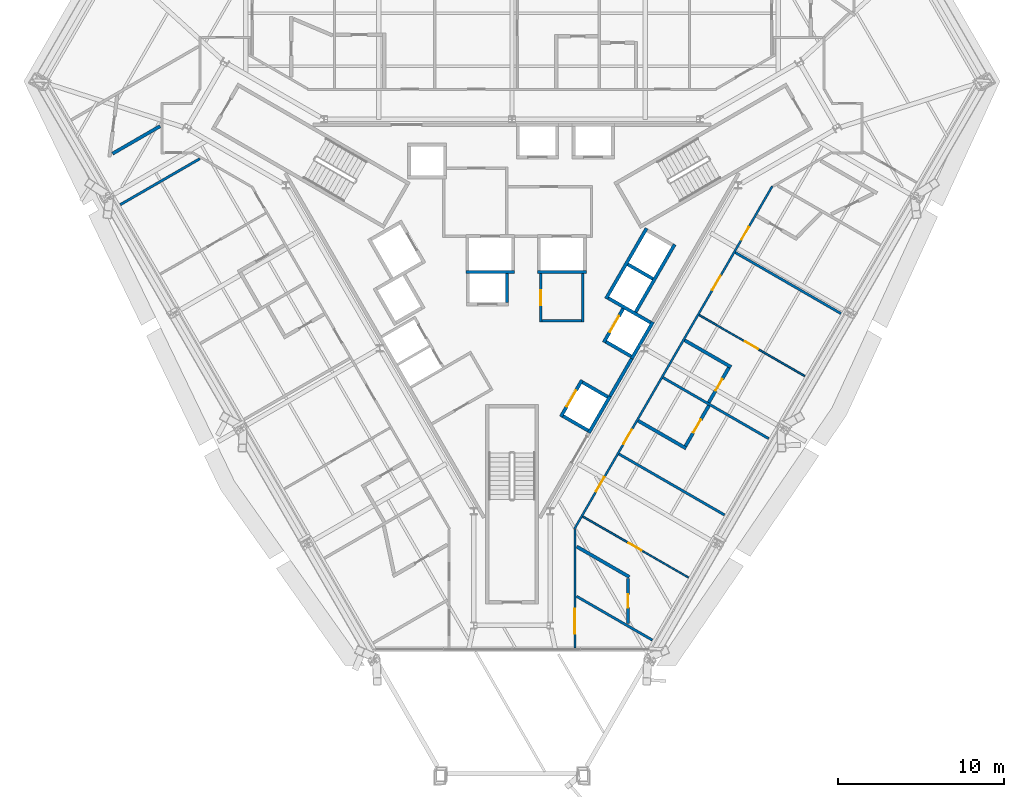
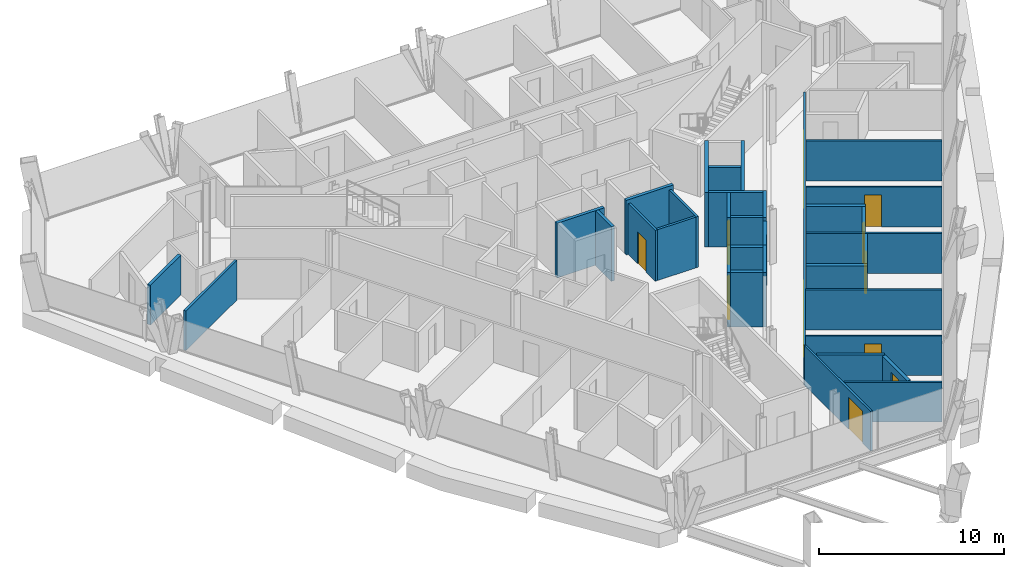
# One storey, part 10 of 15: 34 walls, 13 doors, 13 openings.
"""IFC4 building model written with IfcOpenShell, lengths in metres."""

from ifc_helpers import new_model, si_unit, direction, frame, frame_2d, origin, place, context, subcontext, project, spatial, rectangle, extrude, material, layer, layer_set, type_object, element, fill, save


model = new_model("IFC4")

# Units and contexts
model_context = context("Model", 3, precision=1e-05, world=origin(), true_north=direction((0.0, 1.0)))
body_context = subcontext(model_context, "Body", "Model", "MODEL_VIEW")
ifc_project = project(units=[si_unit("LENGTHUNIT", "METRE"), si_unit("AREAUNIT", "SQUARE_METRE"), si_unit("VOLUMEUNIT", "CUBIC_METRE"), si_unit("PLANEANGLEUNIT", "RADIAN"), si_unit("MASSUNIT", "GRAM", prefix="KILO")], contexts=[model_context])

# Site, building, storey
site_placement = place(None, origin())
site = spatial("IfcSite", under=ifc_project, at=site_placement, CompositionType="ELEMENT")
building_placement = place(site_placement, origin())
building = spatial("IfcBuilding", under=site, at=building_placement, Name="Verrane Prism Tower", CompositionType="ELEMENT")
storey_placement = place(building_placement, frame((0.0, 0.0, 118.0)))
storey = spatial("IfcBuildingStorey", under=building, at=storey_placement, Name="L28", CompositionType="ELEMENT", Elevation=118.0)

# Walls
ifc_material_1 = material(Name="Gypsum board partition", Category="other")
ifc_layer_1 = layer(ifc_material_1, 0.199951171875)
ifc_layer_set_1 = layer_set([ifc_layer_1], Name="CW-200 core boundary wall 2 h")
wall_type_1 = type_object("IfcWallType", Name="CW-200 core boundary wall 2 h", PredefinedType="PARTITIONING", material=ifc_layer_set_1)
wall_1_placement = place(storey_placement, frame((5.906005859375, -7.489990234375, 0.0), z_axis=(0.0, 0.0, 1.0), x_axis=(0.500252727967, 0.865879442048, 0.0)))
element("IfcWall", 1, at=wall_1_placement, inside=storey, type_object=wall_type_1, Name="Core boundary wall CW3-005", PredefinedType="PARTITIONING", context=body_context, shape_type="SweptSolid", body=[
    extrude(rectangle(XDim=2.616943359375, YDim=0.199951171875, at=frame_2d((1.30859375, 0.0))), origin(), (0.0, 0.0, 1.0), 3.35009765625),
])
ifc_material_2 = material(Name="Gypsum board shaft wall assembly", Category="other")
ifc_layer_2 = layer(ifc_material_2, 0.199951171875)
ifc_layer_set_2 = layer_set([ifc_layer_2], Name="HW-200 lift shaft wall 2 h")
wall_type_2 = type_object("IfcWallType", Name="HW-200 lift shaft wall 2 h", PredefinedType="PARTITIONING", material=ifc_layer_set_2)
wall_2_placement = place(storey_placement, frame((-2.784912109375, 0.0, 0.0), z_axis=(0.0, 0.0, 1.0), x_axis=(1.0, 0.0, 0.0)))
element("IfcWall", 2, at=wall_2_placement, inside=storey, type_object=wall_type_2, Name="Lift shaft wall", PredefinedType="PARTITIONING", context=body_context, shape_type="SweptSolid", body=[
    extrude(rectangle(XDim=2.949951171875, YDim=0.199951171875, at=frame_2d((1.47509765625, 0.0))), origin(), (0.0, 0.0, 1.0), 3.60009765625),
])
wall_3_placement = place(storey_placement, frame((1.52490234375, 0.0, 0.0), z_axis=(0.0, 0.0, 1.0), x_axis=(1.0, 0.0, 0.0)))
element("IfcWall", 3, at=wall_3_placement, inside=storey, type_object=wall_type_2, Name="Lift shaft wall", PredefinedType="PARTITIONING", context=body_context, shape_type="SweptSolid", body=[
    extrude(rectangle(XDim=2.9501953125, YDim=0.199951171875, at=frame_2d((1.47509765625, 0.0))), origin(), (0.0, 0.0, 1.0), 3.60009765625),
])
wall_4_placement = place(storey_placement, frame((4.63037109375, -9.69970703125, 0.0), z_axis=(0.0, 0.0, 1.0), x_axis=(0.500062241894, 0.865989465428, 0.0)))
element("IfcWall", 4, at=wall_4_placement, inside=storey, type_object=wall_type_2, Name="Lift shaft wall", PredefinedType="PARTITIONING", context=body_context, shape_type="SweptSolid", body=[
    extrude(rectangle(XDim=2.550048828125, YDim=0.199951171875, at=frame_2d((1.27490234375, 0.0))), origin(), (0.0, 0.0, 1.0), 3.60009765625),
])
wall_5_placement = place(storey_placement, frame((7.215576171875, -5.222412109375, 0.0), z_axis=(0.0, 0.0, 1.0), x_axis=(0.499990435942, 0.866030925526, 0.0)))
element("IfcWall", 5, at=wall_5_placement, inside=storey, type_object=wall_type_2, Name="Lift shaft wall", PredefinedType="PARTITIONING", context=body_context, shape_type="SweptSolid", body=[
    extrude(rectangle(XDim=2.5498046875, YDim=0.199951171875, at=frame_2d((1.27490234375, 0.0))), origin(), (0.0, 0.0, 1.0), 3.60009765625),
])
wall_6_placement = place(storey_placement, frame((7.451171875, -2.4140625, 0.0), z_axis=(0.0, 0.0, 1.0), x_axis=(0.500016218704, 0.866016039709, 0.0)))
element("IfcWall", 6, at=wall_6_placement, inside=storey, type_object=wall_type_2, Name="Lift shaft wall", PredefinedType="PARTITIONING", context=body_context, shape_type="SweptSolid", body=[
    extrude(rectangle(XDim=4.699951171875, YDim=0.199951171875, at=frame_2d((2.35009765625, 0.0))), origin(), (0.0, 0.0, 1.0), 3.60009765625),
])

# Wall, opening, door
wall_7_placement = place(storey_placement, frame((2.941650390625, -8.724853515625, 0.0), z_axis=(0.0, 0.0, 1.0), x_axis=(0.500020783669, 0.866013403995, 0.0)))
wall_7 = element("IfcWall", 7, at=wall_7_placement, inside=storey, type_object=wall_type_2, Name="Lift shaft wall", PredefinedType="PARTITIONING", context=body_context, shape_type="SweptSolid", body=[
    extrude(rectangle(XDim=2.55029296875, YDim=0.199951171875, at=frame_2d((1.275146484375, 0.0))), origin(), (0.0, 0.0, 1.0), 3.60009765625),
])
opening_1_placement = place(wall_7_placement, frame((0.72509765625, 0.0, 0.0)))
opening_1 = element("IfcOpeningElement", 8, at=opening_1_placement, cuts=wall_7, Name="Opening D27506", PredefinedType="OPENING", context=body_context, shape_type="SweptSolid", body=[
    extrude(rectangle(XDim=1.10009765625, YDim=2.10009765625, at=frame_2d((0.550048828125, 1.050048828125))), frame((0.0, 0.10986328125, 0.0), z_axis=(0.0, -1.0, 0.0), x_axis=(1.0, 0.0, 0.0)), (0.0, 0.0, 1.0), 0.219970703125),
])
ifc_material_3 = material(Name="Stainless steel sliding landing door", Category="steel")
door_type_1 = type_object("IfcDoorType", Name="LD-1100x2100 lift landing door FD90 sliding", OperationType="NOTDEFINED", PredefinedType="DOOR", material=ifc_material_3)
door_1_placement = place(opening_1_placement, origin())
door_1 = element("IfcDoor", 9, at=door_1_placement, inside=storey, type_object=door_type_1, Name="Bank A lift 4 landing door", OperationType="SLIDING_TO_RIGHT", OverallHeight=2.10009765625, OverallWidth=1.10009765625, PredefinedType="DOOR", context=body_context, shape_type="SweptSolid", body=[
    extrude(rectangle(XDim=1.10009765625, YDim=2.10009765625, at=frame_2d((0.550048828125, 1.050048828125))), frame((0.0, 0.02490234375, 0.0), z_axis=(0.0, -1.0, 0.0), x_axis=(1.0, 0.0, 0.0)), (0.0, 0.0, 1.0), 0.050048828125),
])
fill(opening_1, door_1)

wall_8_placement = place(storey_placement, frame((5.52685546875, -4.247314453125, 0.0), z_axis=(0.0, 0.0, 1.0), x_axis=(0.499938297808, 0.866061024631, 0.0)))
wall_8 = element("IfcWall", 10, at=wall_8_placement, inside=storey, type_object=wall_type_2, Name="Lift shaft wall", PredefinedType="PARTITIONING", context=body_context, shape_type="SweptSolid", body=[
    extrude(rectangle(XDim=2.349853515625, YDim=0.199951171875, at=frame_2d((1.1748046875, 0.0))), origin(), (0.0, 0.0, 1.0), 3.60009765625),
])
opening_2_placement = place(wall_8_placement, frame((0.72509765625, 0.0, 0.0)))
opening_2 = element("IfcOpeningElement", 11, at=opening_2_placement, cuts=wall_8, Name="Opening D27507", PredefinedType="OPENING", context=body_context, shape_type="SweptSolid", body=[
    extrude(rectangle(XDim=1.10009765625, YDim=2.10009765625, at=frame_2d((0.550048828125, 1.050048828125))), frame((0.0, 0.10986328125, 0.0), z_axis=(0.0, -1.0, 0.0), x_axis=(1.0, 0.0, 0.0)), (0.0, 0.0, 1.0), 0.219970703125),
])
door_2_placement = place(opening_2_placement, origin())
door_2 = element("IfcDoor", 12, at=door_2_placement, inside=storey, type_object=door_type_1, Name="Bank A lift 5 landing door", OperationType="SLIDING_TO_LEFT", OverallHeight=2.10009765625, OverallWidth=1.10009765625, PredefinedType="DOOR", context=body_context, shape_type="SweptSolid", body=[
    extrude(rectangle(XDim=1.10009765625, YDim=2.10009765625, at=frame_2d((0.550048828125, 1.050048828125))), frame((0.0, 0.02490234375, 0.0), z_axis=(0.0, -1.0, 0.0), x_axis=(1.0, 0.0, 0.0)), (0.0, 0.0, 1.0), 0.050048828125),
])
fill(opening_2, door_2)

# Walls
wall_9_placement = place(storey_placement, frame((5.66259765625, -1.6123046875, 0.0), z_axis=(0.0, 0.0, 1.0), x_axis=(0.49998122708, 0.866036242063, 0.0)))
element("IfcWall", 13, at=wall_9_placement, inside=storey, type_object=wall_type_2, Name="Lift shaft wall", PredefinedType="PARTITIONING", context=body_context, shape_type="SweptSolid", body=[
    extrude(rectangle(XDim=4.900146484375, YDim=0.199951171875, at=frame_2d((2.4501953125, 0.0))), origin(), (0.0, 0.0, 1.0), 3.60009765625),
])
for number, where, z_axis, x_axis, name in (
    (14, (-0.304931640625, -1.85009765625, 0.0), (0.0, 0.0, 1.0), (0.0, 1.0, 0.0), "Lift shaft wall"),
    (15, (8.48974609375, -0.41552734375, 0.0), (0.0, 0.0, 1.0), (-0.866036909293, 0.499980071345, 0.0), "Lift shaft wall"),
):
    element("IfcWall", number, at=place(storey_placement, frame(where, z_axis=z_axis, x_axis=x_axis)), inside=storey, type_object=wall_type_2, Name=name, PredefinedType="PARTITIONING", context=body_context, shape_type="SweptSolid", body=[
        extrude(rectangle(XDim=1.75, YDim=0.199951171875, at=frame_2d((0.875, 0.0))), origin(), (0.0, 0.0, 1.0), 3.60009765625),
    ])
wall_10_placement = place(storey_placement, frame((8.35400390625, -3.050537109375, 0.0), z_axis=(0.0, 0.0, 1.0), x_axis=(-0.866060182126, 0.499939757307, 0.0)))
element("IfcWall", 16, at=wall_10_placement, inside=storey, type_object=wall_type_2, Name="Lift shaft wall", PredefinedType="PARTITIONING", context=body_context, shape_type="SweptSolid", body=[
    extrude(rectangle(XDim=2.949951171875, YDim=0.199951171875, at=frame_2d((1.47509765625, 0.0))), origin(), (0.0, 0.0, 1.0), 3.60009765625),
])
wall_11_placement = place(storey_placement, frame((7.178955078125, -5.085693359375, 0.0), z_axis=(0.0, 0.0, 1.0), x_axis=(-0.866036909293, 0.499980071345, 0.0)))
element("IfcWall", 17, at=wall_11_placement, inside=storey, type_object=wall_type_2, Name="Lift shaft wall", PredefinedType="PARTITIONING", context=body_context, shape_type="SweptSolid", body=[
    extrude(rectangle(XDim=1.75, YDim=0.199951171875, at=frame_2d((0.875, 0.0))), origin(), (0.0, 0.0, 1.0), 3.60009765625),
])
wall_12_placement = place(storey_placement, frame((5.768798828125, -7.528076171875, 0.0), z_axis=(0.0, 0.0, 1.0), x_axis=(-0.866002029911, 0.500040482552, 0.0)))
element("IfcWall", 18, at=wall_12_placement, inside=storey, type_object=wall_type_2, Name="Lift shaft wall", PredefinedType="PARTITIONING", context=body_context, shape_type="SweptSolid", body=[
    extrude(rectangle(XDim=1.749755859375, YDim=0.199951171875, at=frame_2d((0.875, 0.0))), origin(), (0.0, 0.0, 1.0), 3.60009765625),
])
wall_13_placement = place(storey_placement, frame((4.593994140625, -9.563232421875, 0.0), z_axis=(0.0, 0.0, 1.0), x_axis=(-0.866036909293, 0.499980071345, 0.0)))
element("IfcWall", 19, at=wall_13_placement, inside=storey, type_object=wall_type_2, Name="Lift shaft wall", PredefinedType="PARTITIONING", context=body_context, shape_type="SweptSolid", body=[
    extrude(rectangle(XDim=1.75, YDim=0.199951171875, at=frame_2d((0.875, 0.0))), origin(), (0.0, 0.0, 1.0), 3.60009765625),
])

# Wall, opening, door
ifc_material_4 = material(Name="Gypsum board partition", Category="other")
ifc_layer_3 = layer(ifc_material_4, 0.10009765625)
ifc_layer_set_3 = layer_set([ifc_layer_3], Name="PW-100 room partition")
wall_type_3 = type_object("IfcWallType", Name="PW-100 room partition", PredefinedType="PARTITIONING", material=ifc_layer_set_3)
wall_14_placement = place(storey_placement, frame((10.6328125, -18.4130859375, 0.0), z_axis=(0.0, 0.0, 1.0), x_axis=(-0.8660606245, 0.499938990969, 0.0)))
wall_14 = element("IfcWall", 20, at=wall_14_placement, inside=storey, type_object=wall_type_3, Name="Room partition 045", PredefinedType="PARTITIONING", context=body_context, shape_type="SweptSolid", body=[
    extrude(rectangle(XDim=7.3525390625, YDim=0.10009765625, at=frame_2d((3.67626953125, 0.0))), origin(), (0.0, 0.0, 1.0), 2.613037109375),
])
opening_3_placement = place(wall_14_placement, frame((3.264892578125, 0.0, 0.0)))
opening_3 = element("IfcOpeningElement", 21, at=opening_3_placement, cuts=wall_14, Name="Opening D27028", PredefinedType="OPENING", context=body_context, shape_type="SweptSolid", body=[
    extrude(rectangle(XDim=0.89990234375, YDim=2.10009765625, at=frame_2d((0.449951171875, 1.050048828125))), frame((0.0, 0.06005859375, 0.0), z_axis=(0.0, -1.0, 0.0), x_axis=(1.0, 0.0, 0.0)), (0.0, 0.0, 1.0), 0.1201171875),
])
ifc_material_5 = material(Name="Timber veneered door leaf", Category="wood")
door_type_2 = type_object("IfcDoorType", Name="DR-900x2100 single leaf inner", OperationType="NOTDEFINED", PredefinedType="DOOR", material=ifc_material_5)
door_3_placement = place(opening_3_placement, origin())
door_3 = element("IfcDoor", 22, at=door_3_placement, inside=storey, type_object=door_type_2, Name="Suite Living Room door", OperationType="SINGLE_SWING_LEFT", OverallHeight=2.10009765625, OverallWidth=0.89990234375, PredefinedType="DOOR", context=body_context, shape_type="SweptSolid", body=[
    extrude(rectangle(XDim=0.89990234375, YDim=2.10009765625, at=frame_2d((0.449951171875, 1.050048828125))), frame((0.0, 0.02490234375, 0.0), z_axis=(0.0, -1.0, 0.0), x_axis=(1.0, 0.0, 0.0)), (0.0, 0.0, 1.0), 0.050048828125),
])
fill(opening_3, door_3)

wall_15_placement = place(storey_placement, frame((17.6416015625, -6.27392578125, 0.0), z_axis=(0.0, 0.0, 1.0), x_axis=(-0.866003534372, 0.50003787702, 0.0)))
wall_15 = element("IfcWall", 23, at=wall_15_placement, inside=storey, type_object=wall_type_3, Name="Room partition 056", PredefinedType="PARTITIONING", context=body_context, shape_type="SweptSolid", body=[
    extrude(rectangle(XDim=7.34765625, YDim=0.10009765625, at=frame_2d((3.673828125, 0.0))), origin(), (0.0, 0.0, 1.0), 2.613037109375),
])
opening_4_placement = place(wall_15_placement, frame((3.26513671875, 0.0, 0.0)))
opening_4 = element("IfcOpeningElement", 24, at=opening_4_placement, cuts=wall_15, Name="Opening D27033", PredefinedType="OPENING", context=body_context, shape_type="SweptSolid", body=[
    extrude(rectangle(XDim=0.89990234375, YDim=2.10009765625, at=frame_2d((0.449951171875, 1.050048828125))), frame((0.0, 0.06005859375, 0.0), z_axis=(0.0, -1.0, 0.0), x_axis=(1.0, 0.0, 0.0)), (0.0, 0.0, 1.0), 0.1201171875),
])
door_4_placement = place(opening_4_placement, origin())
door_4 = element("IfcDoor", 25, at=door_4_placement, inside=storey, type_object=door_type_2, Name="Suite Living Room door", OperationType="SINGLE_SWING_RIGHT", OverallHeight=2.10009765625, OverallWidth=0.89990234375, PredefinedType="DOOR", context=body_context, shape_type="SweptSolid", body=[
    extrude(rectangle(XDim=0.89990234375, YDim=2.10009765625, at=frame_2d((0.449951171875, 1.050048828125))), frame((0.0, 0.02490234375, 0.0), z_axis=(0.0, -1.0, 0.0), x_axis=(1.0, 0.0, 0.0)), (0.0, 0.0, 1.0), 0.050048828125),
])
fill(opening_4, door_4)

ifc_material_6 = material(Name="Gypsum board partition", Category="other")
ifc_layer_4 = layer(ifc_material_6, 0.125)
ifc_layer_set_4 = layer_set([ifc_layer_4], Name="PW-125 corridor wall 1 h")
wall_type_4 = type_object("IfcWallType", Name="PW-125 corridor wall 1 h", PredefinedType="PARTITIONING", material=ifc_layer_set_4)
wall_16_placement = place(storey_placement, frame((3.787109375, -15.52490234375, 0.0), z_axis=(0.0, 0.0, 1.0), x_axis=(0.0, -1.0, 0.0)))
wall_16 = element("IfcWall", 26, at=wall_16_placement, inside=storey, type_object=wall_type_4, Name="Corridor wall 041", PredefinedType="PARTITIONING", context=body_context, shape_type="SweptSolid", body=[
    extrude(rectangle(XDim=7.14794921875, YDim=0.125, at=frame_2d((3.573974609375, 0.0))), origin(), (0.0, 0.0, 1.0), 2.613037109375),
])
opening_5_placement = place(wall_16_placement, frame((4.762939453125, 0.0, 0.0)))
opening_5 = element("IfcOpeningElement", 27, at=opening_5_placement, cuts=wall_16, Name="Opening D27026", PredefinedType="OPENING", context=body_context, shape_type="SweptSolid", body=[
    extrude(rectangle(XDim=1.5, YDim=2.10009765625, at=frame_2d((0.75, 1.050048828125))), frame((0.0, 0.072509765625, 0.0), z_axis=(0.0, -1.0, 0.0), x_axis=(1.0, 0.0, 0.0)), (0.0, 0.0, 1.0), 0.14501953125),
])
ifc_material_7 = material(Name="Timber veneered door leaf", Category="wood")
door_type_3 = type_object("IfcDoorType", Name="DR-1500x2100 FD20 double leaf public", OperationType="NOTDEFINED", PredefinedType="DOOR", material=ifc_material_7)
door_5_placement = place(opening_5_placement, origin())
door_5 = element("IfcDoor", 28, at=door_5_placement, inside=storey, type_object=door_type_3, Name="Sky Garden Lounge door", OperationType="DOUBLE_DOOR_SINGLE_SWING", OverallHeight=2.10009765625, OverallWidth=1.5, PredefinedType="DOOR", context=body_context, shape_type="SweptSolid", body=[
    extrude(rectangle(XDim=1.5, YDim=2.10009765625, at=frame_2d((0.75, 1.050048828125))), frame((0.0, 0.02490234375, 0.0), z_axis=(0.0, -1.0, 0.0), x_axis=(1.0, 0.0, 0.0)), (0.0, 0.0, 1.0), 0.050048828125),
])
fill(opening_5, door_5)

# Wall, openings, doors
wall_17_placement = place(storey_placement, frame((15.684326171875, 5.1650390625, 0.0), z_axis=(0.0, 0.0, 1.0), x_axis=(-0.500027787016, -0.866009360349, 0.0)))
wall_17 = element("IfcWall", 29, at=wall_17_placement, inside=storey, type_object=wall_type_4, Name="Corridor wall 044", PredefinedType="PARTITIONING", context=body_context, shape_type="SweptSolid", body=[
    extrude(rectangle(XDim=23.855712890625, YDim=0.125, at=frame_2d((11.927734375, 0.0))), origin(), (0.0, 0.0, 1.0), 2.613037109375),
])
opening_6_placement = place(wall_17_placement, frame((20.2451171875, 0.0, 0.0)))
opening_6 = element("IfcOpeningElement", 30, at=opening_6_placement, cuts=wall_17, Name="Opening D27027", PredefinedType="OPENING", context=body_context, shape_type="SweptSolid", body=[
    extrude(rectangle(XDim=1.0, YDim=2.10009765625, at=frame_2d((0.5, 1.050048828125))), frame((0.0, 0.072509765625, 0.0), z_axis=(0.0, -1.0, 0.0), x_axis=(1.0, 0.0, 0.0)), (0.0, 0.0, 1.0), 0.14501953125),
])
opening_7_placement = place(wall_17_placement, frame((16.943115234375, 0.0, 0.0)))
opening_7 = element("IfcOpeningElement", 31, at=opening_7_placement, cuts=wall_17, Name="Opening D27030", PredefinedType="OPENING", context=body_context, shape_type="SweptSolid", body=[
    extrude(rectangle(XDim=1.0, YDim=2.10009765625, at=frame_2d((0.5, 1.050048828125))), frame((0.0, 0.072509765625, 0.0), z_axis=(0.0, -1.0, 0.0), x_axis=(1.0, 0.0, 0.0)), (0.0, 0.0, 1.0), 0.14501953125),
])
opening_8_placement = place(wall_17_placement, frame((6.227294921875, 0.0, 0.0)))
opening_8 = element("IfcOpeningElement", 32, at=opening_8_placement, cuts=wall_17, Name="Opening D27032", PredefinedType="OPENING", context=body_context, shape_type="SweptSolid", body=[
    extrude(rectangle(XDim=1.0, YDim=2.10009765625, at=frame_2d((0.5, 1.050048828125))), frame((0.0, 0.072509765625, 0.0), z_axis=(0.0, -1.0, 0.0), x_axis=(1.0, 0.0, 0.0)), (0.0, 0.0, 1.0), 0.14501953125),
])
opening_9_placement = place(wall_17_placement, frame((2.8251953125, 0.0, 0.0)))
opening_9 = element("IfcOpeningElement", 33, at=opening_9_placement, cuts=wall_17, Name="Opening D27035", PredefinedType="OPENING", context=body_context, shape_type="SweptSolid", body=[
    extrude(rectangle(XDim=0.89990234375, YDim=2.10009765625, at=frame_2d((0.449951171875, 1.050048828125))), frame((0.0, 0.072509765625, 0.0), z_axis=(0.0, -1.0, 0.0), x_axis=(1.0, 0.0, 0.0)), (0.0, 0.0, 1.0), 0.14501953125),
])
ifc_material_8 = material(Name="Timber veneered door leaf", Category="wood")
door_type_4 = type_object("IfcDoorType", Name="DR-1000x2100 FD20 single leaf unit", OperationType="NOTDEFINED", PredefinedType="DOOR", material=ifc_material_8)
door_6_placement = place(opening_6_placement, origin())
door_6 = element("IfcDoor", 34, at=door_6_placement, inside=storey, type_object=door_type_4, Name="Suite Living Room door", OperationType="SINGLE_SWING_RIGHT", OverallHeight=2.10009765625, OverallWidth=1.0, PredefinedType="DOOR", context=body_context, shape_type="SweptSolid", body=[
    extrude(rectangle(XDim=1.0, YDim=2.10009765625, at=frame_2d((0.5, 1.050048828125))), frame((0.0, 0.02490234375, 0.0), z_axis=(0.0, -1.0, 0.0), x_axis=(1.0, 0.0, 0.0)), (0.0, 0.0, 1.0), 0.050048828125),
])
fill(opening_6, door_6)
door_7_placement = place(opening_7_placement, origin())
door_7 = element("IfcDoor", 35, at=door_7_placement, inside=storey, type_object=door_type_4, Name="Accessible Guest Room door", OperationType="SINGLE_SWING_LEFT", OverallHeight=2.10009765625, OverallWidth=1.0, PredefinedType="DOOR", context=body_context, shape_type="SweptSolid", body=[
    extrude(rectangle(XDim=1.0, YDim=2.10009765625, at=frame_2d((0.5, 1.050048828125))), frame((0.0, 0.02490234375, 0.0), z_axis=(0.0, -1.0, 0.0), x_axis=(1.0, 0.0, 0.0)), (0.0, 0.0, 1.0), 0.050048828125),
])
fill(opening_7, door_7)
door_8_placement = place(opening_8_placement, origin())
door_8 = element("IfcDoor", 36, at=door_8_placement, inside=storey, type_object=door_type_4, Name="Suite Living Room door", OperationType="SINGLE_SWING_LEFT", OverallHeight=2.10009765625, OverallWidth=1.0, PredefinedType="DOOR", context=body_context, shape_type="SweptSolid", body=[
    extrude(rectangle(XDim=1.0, YDim=2.10009765625, at=frame_2d((0.5, 1.050048828125))), frame((0.0, 0.02490234375, 0.0), z_axis=(0.0, -1.0, 0.0), x_axis=(1.0, 0.0, 0.0)), (0.0, 0.0, 1.0), 0.050048828125),
])
fill(opening_8, door_8)
ifc_material_9 = material(Name="Timber veneered door leaf", Category="wood")
door_type_5 = type_object("IfcDoorType", Name="DR-900x2100 FD20 single leaf unit", OperationType="NOTDEFINED", PredefinedType="DOOR", material=ifc_material_9)
door_9_placement = place(opening_9_placement, origin())
door_9 = element("IfcDoor", 37, at=door_9_placement, inside=storey, type_object=door_type_5, Name="Guest Room door", OperationType="SINGLE_SWING_RIGHT", OverallHeight=2.10009765625, OverallWidth=0.89990234375, PredefinedType="DOOR", context=body_context, shape_type="SweptSolid", body=[
    extrude(rectangle(XDim=0.89990234375, YDim=2.10009765625, at=frame_2d((0.449951171875, 1.050048828125))), frame((0.0, 0.02490234375, 0.0), z_axis=(0.0, -1.0, 0.0), x_axis=(1.0, 0.0, 0.0)), (0.0, 0.0, 1.0), 0.050048828125),
])
fill(opening_9, door_9)

# Walls
ifc_material_10 = material(Name="Gypsum board partition", Category="other")
ifc_layer_5 = layer(ifc_material_10, 0.14990234375)
ifc_layer_set_5 = layer_set([ifc_layer_5], Name="PW-150 demising wall 1 h")
wall_type_5 = type_object("IfcWallType", Name="PW-150 demising wall 1 h", PredefinedType="PARTITIONING", material=ifc_layer_set_5)
wall_18_placement = place(storey_placement, frame((-23.603759765625, 4.052978515625, 0.0), z_axis=(0.0, 0.0, 1.0), x_axis=(0.865961466541, 0.500110726206, 0.0)))
element("IfcWall", 38, at=wall_18_placement, inside=storey, type_object=wall_type_5, Name="Demising wall 004", PredefinedType="PARTITIONING", context=body_context, shape_type="SweptSolid", body=[
    extrude(rectangle(XDim=5.533447265625, YDim=0.14990234375, at=frame_2d((2.7666015625, 0.0))), origin(), (0.0, 0.0, 1.0), 2.613037109375),
])
wall_19_placement = place(storey_placement, frame((3.886962890625, -19.543701171875, 0.0), z_axis=(0.0, 0.0, 1.0), x_axis=(0.866042279195, -0.499970769793, 0.0)))
element("IfcWall", 39, at=wall_19_placement, inside=storey, type_object=wall_type_5, Name="Demising wall 042", PredefinedType="PARTITIONING", context=body_context, shape_type="SweptSolid", body=[
    extrude(rectangle(XDim=5.276611328125, YDim=0.14990234375, at=frame_2d((2.63818359375, 0.0))), origin(), (0.0, 0.0, 1.0), 2.613037109375),
])
wall_20_placement = place(storey_placement, frame((6.441162109375, -10.96826171875, 0.0), z_axis=(0.0, 0.0, 1.0), x_axis=(0.8660606245, -0.499938990969, 0.0)))
element("IfcWall", 40, at=wall_20_placement, inside=storey, type_object=wall_type_5, Name="Demising wall 048", PredefinedType="PARTITIONING", context=body_context, shape_type="SweptSolid", body=[
    extrude(rectangle(XDim=7.3525390625, YDim=0.14990234375, at=frame_2d((3.67626953125, 0.0))), origin(), (0.0, 0.0, 1.0), 2.613037109375),
])
wall_21_placement = place(storey_placement, frame((9.1025390625, -6.36865234375, 0.0), z_axis=(0.0, 0.0, 1.0), x_axis=(0.866055004685, -0.499948726231, 0.0)))
element("IfcWall", 41, at=wall_21_placement, inside=storey, type_object=wall_type_5, Name="Demising wall 052", PredefinedType="PARTITIONING", context=body_context, shape_type="SweptSolid", body=[
    extrude(rectangle(XDim=7.347412109375, YDim=0.14990234375, at=frame_2d((3.673828125, 0.0))), origin(), (0.0, 0.0, 1.0), 2.613037109375),
])
wall_22_placement = place(storey_placement, frame((13.454345703125, 1.169189453125, 0.0), z_axis=(0.0, 0.0, 1.0), x_axis=(0.866011842101, -0.500023488788, 0.0)))
element("IfcWall", 42, at=wall_22_placement, inside=storey, type_object=wall_type_5, Name="Demising wall 059", PredefinedType="PARTITIONING", context=body_context, shape_type="SweptSolid", body=[
    extrude(rectangle(XDim=7.347900390625, YDim=0.14990234375, at=frame_2d((3.673828125, 0.0))), origin(), (0.0, 0.0, 1.0), 2.613037109375),
])
ifc_material_11 = material(Name="Gypsum board partition", Category="other")
ifc_layer_6 = layer(ifc_material_11, 0.199951171875)
ifc_layer_set_6 = layer_set([ifc_layer_6], Name="PW-200 plumbing wall")
wall_type_6 = type_object("IfcWallType", Name="PW-200 plumbing wall", PredefinedType="PARTITIONING", material=ifc_layer_set_6)
wall_23_placement = place(storey_placement, frame((-24.06884765625, 7.1279296875, 0.0), z_axis=(0.0, 0.0, 1.0), x_axis=(0.865980660237, 0.50007749009, 0.0)))
element("IfcWall", 43, at=wall_23_placement, inside=storey, type_object=wall_type_6, Name="Plumbing wall 003", PredefinedType="PARTITIONING", context=body_context, shape_type="SweptSolid", body=[
    extrude(rectangle(XDim=3.3134765625, YDim=0.199951171875, at=frame_2d((1.65673828125, 0.0))), origin(), (0.0, 0.0, 1.0), 2.613037109375),
])
wall_24_placement = place(storey_placement, frame((3.8994140625, -16.548828125, 0.0), z_axis=(0.0, 0.0, 1.0), x_axis=(0.866074669803, -0.499914659043, 0.0)))
element("IfcWall", 44, at=wall_24_placement, inside=storey, type_object=wall_type_6, Name="Plumbing wall 043", PredefinedType="PARTITIONING", context=body_context, shape_type="SweptSolid", body=[
    extrude(rectangle(XDim=3.665283203125, YDim=0.199951171875, at=frame_2d((1.83251953125, 0.0))), origin(), (0.0, 0.0, 1.0), 2.613037109375),
])

# Wall, opening, door
wall_25_placement = place(storey_placement, frame((6.987060546875, -21.188720703125, 0.0), z_axis=(0.0, 0.0, 1.0), x_axis=(0.0, 1.0, 0.0)))
wall_25 = element("IfcWall", 45, at=wall_25_placement, inside=storey, type_object=wall_type_6, Name="Plumbing wall 049", PredefinedType="PARTITIONING", context=body_context, shape_type="SweptSolid", body=[
    extrude(rectangle(XDim=2.72265625, YDim=0.199951171875, at=frame_2d((1.361328125, 0.0))), origin(), (0.0, 0.0, 1.0), 2.613037109375),
])
opening_10_placement = place(wall_25_placement, frame((0.95556640625, 0.0, 0.0)))
opening_10 = element("IfcOpeningElement", 46, at=opening_10_placement, cuts=wall_25, Name="Opening D27029", PredefinedType="OPENING", context=body_context, shape_type="SweptSolid", body=[
    extrude(rectangle(XDim=0.800048828125, YDim=2.10009765625, at=frame_2d((0.39990234375, 1.050048828125))), frame((0.0, 0.10986328125, 0.0), z_axis=(0.0, -1.0, 0.0), x_axis=(1.0, 0.0, 0.0)), (0.0, 0.0, 1.0), 0.219970703125),
])
ifc_material_12 = material(Name="Timber veneered door leaf", Category="wood")
door_type_6 = type_object("IfcDoorType", Name="DR-800x2100 single leaf bath", OperationType="NOTDEFINED", PredefinedType="DOOR", material=ifc_material_12)
door_10_placement = place(opening_10_placement, origin())
door_10 = element("IfcDoor", 47, at=door_10_placement, inside=storey, type_object=door_type_6, Name="En-Suite door", OperationType="SINGLE_SWING_LEFT", OverallHeight=2.10009765625, OverallWidth=0.800048828125, PredefinedType="DOOR", context=body_context, shape_type="SweptSolid", body=[
    extrude(rectangle(XDim=0.800048828125, YDim=2.10009765625, at=frame_2d((0.39990234375, 1.050048828125))), frame((0.0, 0.02490234375, 0.0), z_axis=(0.0, -1.0, 0.0), x_axis=(1.0, 0.0, 0.0)), (0.0, 0.0, 1.0), 0.050048828125),
])
fill(opening_10, door_10)

# Walls
wall_26_placement = place(storey_placement, frame((7.6025390625, -8.966796875, 0.0), z_axis=(0.0, 0.0, 1.0), x_axis=(0.866020884234, -0.500007828009, 0.0)))
element("IfcWall", 48, at=wall_26_placement, inside=storey, type_object=wall_type_6, Name="Plumbing wall 051", PredefinedType="PARTITIONING", context=body_context, shape_type="SweptSolid", body=[
    extrude(rectangle(XDim=3.33251953125, YDim=0.199951171875, at=frame_2d((1.666259765625, 0.0))), origin(), (0.0, 0.0, 1.0), 2.613037109375),
])
wall_27_placement = place(storey_placement, frame((10.402587890625, -4.11669921875, 0.0), z_axis=(0.0, 0.0, 1.0), x_axis=(0.866078705744, -0.499907666931, 0.0)))
element("IfcWall", 49, at=wall_27_placement, inside=storey, type_object=wall_type_6, Name="Plumbing wall 053", PredefinedType="PARTITIONING", context=body_context, shape_type="SweptSolid", body=[
    extrude(rectangle(XDim=3.23291015625, YDim=0.199951171875, at=frame_2d((1.616455078125, 0.0))), origin(), (0.0, 0.0, 1.0), 2.613037109375),
])

# Wall, opening, door
wall_28_placement = place(storey_placement, frame((10.451904296875, -10.496337890625, 0.0), z_axis=(0.0, 0.0, 1.0), x_axis=(0.500061596976, 0.865989837833, 0.0)))
wall_28 = element("IfcWall", 50, at=wall_28_placement, inside=storey, type_object=wall_type_6, Name="Plumbing wall 054", PredefinedType="PARTITIONING", context=body_context, shape_type="SweptSolid", body=[
    extrude(rectangle(XDim=2.824951171875, YDim=0.199951171875, at=frame_2d((1.41259765625, 0.0))), origin(), (0.0, 0.0, 1.0), 2.613037109375),
])
opening_11_placement = place(wall_28_placement, frame((0.949951171875, 0.0, 0.0)))
opening_11 = element("IfcOpeningElement", 51, at=opening_11_placement, cuts=wall_28, Name="Opening D27031", PredefinedType="OPENING", context=body_context, shape_type="SweptSolid", body=[
    extrude(rectangle(XDim=0.89990234375, YDim=2.10009765625, at=frame_2d((0.449951171875, 1.050048828125))), frame((0.0, 0.10986328125, 0.0), z_axis=(0.0, -1.0, 0.0), x_axis=(1.0, 0.0, 0.0)), (0.0, 0.0, 1.0), 0.219970703125),
])
ifc_material_13 = material(Name="Timber veneered door leaf", Category="wood")
door_type_7 = type_object("IfcDoorType", Name="DR-900x2100 single leaf bath", OperationType="NOTDEFINED", PredefinedType="DOOR", material=ifc_material_13)
door_11_placement = place(opening_11_placement, origin())
door_11 = element("IfcDoor", 52, at=door_11_placement, inside=storey, type_object=door_type_7, Name="En-Suite door", OperationType="SINGLE_SWING_LEFT", OverallHeight=2.10009765625, OverallWidth=0.89990234375, PredefinedType="DOOR", context=body_context, shape_type="SweptSolid", body=[
    extrude(rectangle(XDim=0.89990234375, YDim=2.10009765625, at=frame_2d((0.449951171875, 1.050048828125))), frame((0.0, 0.02490234375, 0.0), z_axis=(0.0, -1.0, 0.0), x_axis=(1.0, 0.0, 0.0)), (0.0, 0.0, 1.0), 0.050048828125),
])
fill(opening_11, door_11)

wall_29_placement = place(storey_placement, frame((11.853515625, -7.8701171875, 0.0), z_axis=(0.0, 0.0, 1.0), x_axis=(0.499885111907, 0.866091724296, 0.0)))
wall_29 = element("IfcWall", 53, at=wall_29_placement, inside=storey, type_object=wall_type_6, Name="Plumbing wall 057", PredefinedType="PARTITIONING", context=body_context, shape_type="SweptSolid", body=[
    extrude(rectangle(XDim=2.42529296875, YDim=0.199951171875, at=frame_2d((1.212646484375, 0.0))), origin(), (0.0, 0.0, 1.0), 2.613037109375),
])
opening_12_placement = place(wall_29_placement, frame((0.824951171875, 0.0, 0.0)))
opening_12 = element("IfcOpeningElement", 54, at=opening_12_placement, cuts=wall_29, Name="Opening D27034", PredefinedType="OPENING", context=body_context, shape_type="SweptSolid", body=[
    extrude(rectangle(XDim=0.800048828125, YDim=2.10009765625, at=frame_2d((0.39990234375, 1.050048828125))), frame((0.0, 0.10986328125, 0.0), z_axis=(0.0, -1.0, 0.0), x_axis=(1.0, 0.0, 0.0)), (0.0, 0.0, 1.0), 0.219970703125),
])
door_12_placement = place(opening_12_placement, origin())
door_12 = element("IfcDoor", 55, at=door_12_placement, inside=storey, type_object=door_type_6, Name="En-Suite door", OperationType="SINGLE_SWING_RIGHT", OverallHeight=2.10009765625, OverallWidth=0.800048828125, PredefinedType="DOOR", context=body_context, shape_type="SweptSolid", body=[
    extrude(rectangle(XDim=0.800048828125, YDim=2.10009765625, at=frame_2d((0.39990234375, 1.050048828125))), frame((0.0, 0.02490234375, 0.0), z_axis=(0.0, -1.0, 0.0), x_axis=(1.0, 0.0, 0.0)), (0.0, 0.0, 1.0), 0.050048828125),
])
fill(opening_12, door_12)

ifc_material_14 = material(Name="Gypsum board partition", Category="other")
ifc_layer_7 = layer(ifc_material_14, 0.14990234375)
ifc_layer_set_7 = layer_set([ifc_layer_7], Name="RS-150 riser enclosure wall 1 h")
wall_type_7 = type_object("IfcWallType", Name="RS-150 riser enclosure wall 1 h", PredefinedType="PARTITIONING", material=ifc_layer_set_7)
wall_30_placement = place(storey_placement, frame((1.72509765625, -0.10205078125, 0.0), z_axis=(0.0, 0.0, 1.0), x_axis=(0.0, -1.0, 0.0)))
wall_30 = element("IfcWall", 56, at=wall_30_placement, inside=storey, type_object=wall_type_7, Name="Riser wall RS3-007", PredefinedType="PARTITIONING", context=body_context, shape_type="SweptSolid", body=[
    extrude(rectangle(XDim=2.9228515625, YDim=0.14990234375, at=frame_2d((1.46142578125, 0.0))), origin(), (0.0, 0.0, 1.0), 3.35009765625),
])
opening_13_placement = place(wall_30_placement, frame((0.998046875, 0.0, 0.0)))
opening_13 = element("IfcOpeningElement", 57, at=opening_13_placement, cuts=wall_30, Name="Opening D27518", PredefinedType="OPENING", context=body_context, shape_type="SweptSolid", body=[
    extrude(rectangle(XDim=0.89990234375, YDim=2.10009765625, at=frame_2d((0.449951171875, 1.050048828125))), frame((0.0, 0.0849609375, 0.0), z_axis=(0.0, -1.0, 0.0), x_axis=(1.0, 0.0, 0.0)), (0.0, 0.0, 1.0), 0.169921875),
])
ifc_material_15 = material(Name="Timber veneered door leaf", Category="wood")
door_type_8 = type_object("IfcDoorType", Name="DR-900x2100 FD20 single leaf store", OperationType="NOTDEFINED", PredefinedType="DOOR", material=ifc_material_15)
door_13_placement = place(opening_13_placement, origin())
door_13 = element("IfcDoor", 58, at=door_13_placement, inside=storey, type_object=door_type_8, Name="Room door D27518", OperationType="SINGLE_SWING_LEFT", OverallHeight=2.10009765625, OverallWidth=0.89990234375, PredefinedType="DOOR", context=body_context, shape_type="SweptSolid", body=[
    extrude(rectangle(XDim=0.89990234375, YDim=2.10009765625, at=frame_2d((0.449951171875, 1.050048828125))), frame((0.0, 0.02490234375, 0.0), z_axis=(0.0, -1.0, 0.0), x_axis=(1.0, 0.0, 0.0)), (0.0, 0.0, 1.0), 0.050048828125),
])
fill(opening_13, door_13)

# Walls
wall_31_placement = place(storey_placement, frame((1.800048828125, -2.949951171875, 0.0), z_axis=(0.0, 0.0, 1.0), x_axis=(1.0, 0.0, 0.0)))
element("IfcWall", 59, at=wall_31_placement, inside=storey, type_object=wall_type_7, Name="Riser wall RS3-008", PredefinedType="PARTITIONING", context=body_context, shape_type="SweptSolid", body=[
    extrude(rectangle(XDim=2.39990234375, YDim=0.14990234375, at=frame_2d((1.199951171875, 0.0))), origin(), (0.0, 0.0, 1.0), 3.35009765625),
])
wall_32_placement = place(storey_placement, frame((4.27490234375, -3.02490234375, 0.0), z_axis=(0.0, 0.0, 1.0), x_axis=(0.0, 1.0, 0.0)))
element("IfcWall", 60, at=wall_32_placement, inside=storey, type_object=wall_type_7, Name="Riser wall RS3-009", PredefinedType="PARTITIONING", context=body_context, shape_type="SweptSolid", body=[
    extrude(rectangle(XDim=2.9228515625, YDim=0.14990234375, at=frame_2d((1.46142578125, 0.0))), origin(), (0.0, 0.0, 1.0), 3.35009765625),
])

save(model, "model.ifc")
